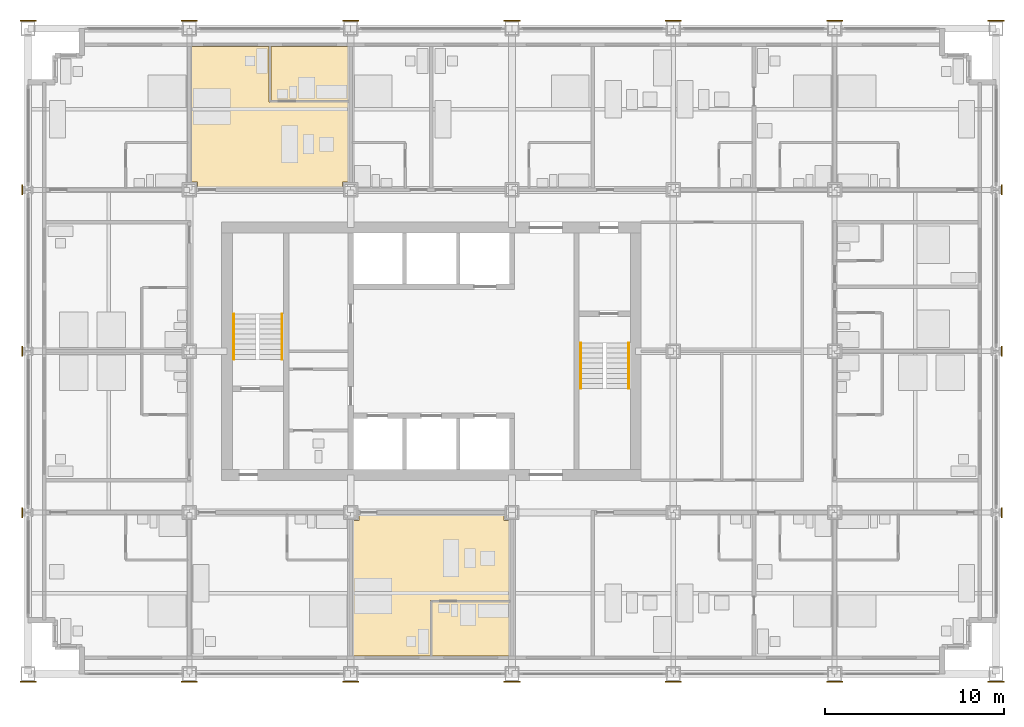
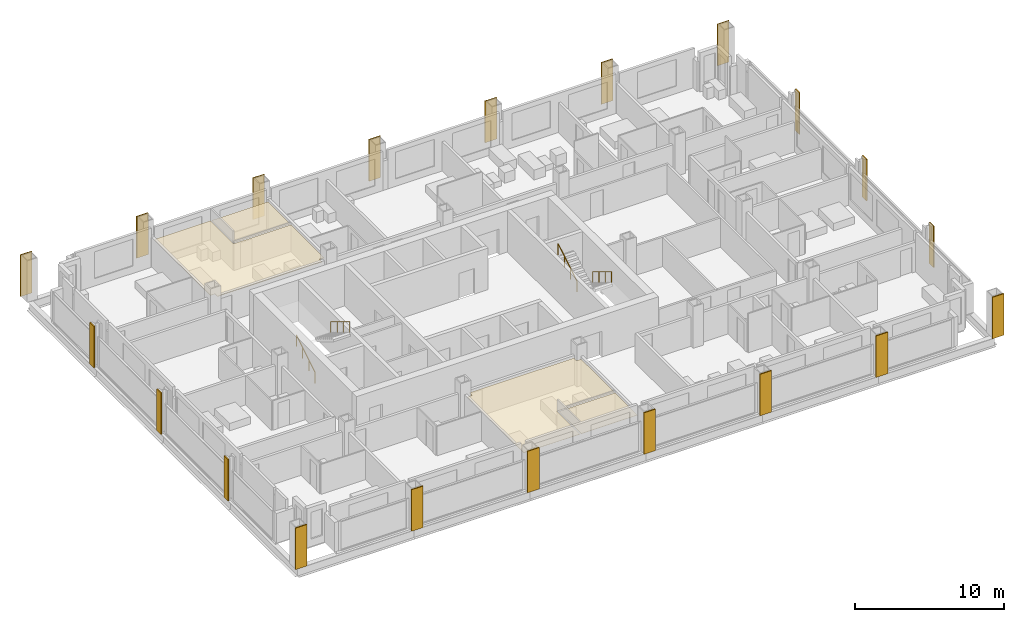
# One storey, part 16 of 18: 24 coverings, 4 railings.
"""IFC4 building model written with IfcOpenShell, lengths in metres."""

from ifc_helpers import new_model, si_unit, direction, frame, origin, origin_2d, place, context, subcontext, project, spatial, polyline, rectangle, circle, outline, extrude, material, layer, layer_set, type_object, element, save


model = new_model("IFC4")

# Units and contexts
model_context = context("Model", 3, precision=1e-05, world=origin(), true_north=direction((0.0, 1.0)))
body_context = subcontext(model_context, "Body", "Model", "MODEL_VIEW")
ifc_project = project(units=[si_unit("LENGTHUNIT", "METRE"), si_unit("AREAUNIT", "SQUARE_METRE"), si_unit("VOLUMEUNIT", "CUBIC_METRE"), si_unit("PLANEANGLEUNIT", "RADIAN"), si_unit("MASSUNIT", "GRAM", prefix="KILO")], contexts=[model_context])

# Site, building, storey
site_placement = place(None, origin())
site = spatial("IfcSite", under=ifc_project, at=site_placement, CompositionType="ELEMENT")
building_placement = place(site_placement, origin())
building = spatial("IfcBuilding", under=site, at=building_placement, Name="Loomwork Tower", CompositionType="ELEMENT")
storey_placement = place(building_placement, frame((0.0, 0.0, 72.199951171875)))
storey = spatial("IfcBuildingStorey", under=building, at=storey_placement, Name="L18", CompositionType="ELEMENT", Elevation=72.199951171875)

# Railings
ifc_material_1 = material(Name="Stainless steel handrail", Category="steel")
railing_type = type_object("IfcRailingType", Name="Handrail 900", PredefinedType="HANDRAIL", material=ifc_material_1)
railing_1_placement = place(storey_placement, frame((11.485107421875, 17.550048828125, 0.170166015625)))
element("IfcRailing", 1, at=railing_1_placement, inside=storey, type_object=railing_type, Name="Stair A handrail flight 1 L18", PredefinedType="HANDRAIL", context=body_context, shape_type="SweptSolid", body=[
    extrude(circle(Radius=0.02392578125, at=origin_2d()), frame((0.0, 0.0, 0.8759765625), z_axis=(0.0, 0.854821627497, 0.518921945155), x_axis=(-1.0, 0.0, 0.0)), (0.0, 0.0, 1.0), 2.947998046875),
    extrude(circle(Radius=0.02099609375, at=origin_2d()), origin(), (0.0, 0.0, 1.0), 0.851806640625),
    extrude(circle(Radius=0.02099609375, at=origin_2d()), frame((0.0, 0.840087890625, 0.510009765625)), (0.0, 0.0, 1.0), 0.851806640625),
    extrude(circle(Radius=0.02099609375, at=origin_2d()), frame((0.0, 1.679931640625, 1.019775390625)), (0.0, 0.0, 1.0), 0.851806640625),
    extrude(circle(Radius=0.02099609375, at=origin_2d()), frame((0.0, 2.52001953125, 1.52978515625)), (0.0, 0.0, 1.0), 0.851806640625),
])
railing_2_placement = place(storey_placement, frame((14.1650390625, 20.070068359375, 1.8701171875)))
element("IfcRailing", 2, at=railing_2_placement, inside=storey, type_object=railing_type, Name="Stair A handrail flight 2 L18", PredefinedType="HANDRAIL", context=body_context, shape_type="SweptSolid", body=[
    extrude(circle(Radius=0.02392578125, at=origin_2d()), frame((0.0, 0.0, 0.8759765625), z_axis=(0.0, -0.85478489116, 0.518982456201), x_axis=(1.0, 0.0, 0.0)), (0.0, 0.0, 1.0), 2.9482421875),
    extrude(circle(Radius=0.02099609375, at=origin_2d()), origin(), (0.0, 0.0, 1.0), 0.851806640625),
    extrude(circle(Radius=0.02099609375, at=origin_2d()), frame((0.0, -0.840087890625, 0.510009765625)), (0.0, 0.0, 1.0), 0.851806640625),
    extrude(circle(Radius=0.02099609375, at=origin_2d()), frame((0.0, -1.679931640625, 1.02001953125)), (0.0, 0.0, 1.0), 0.851806640625),
    extrude(circle(Radius=0.02099609375, at=origin_2d()), frame((0.0, -2.52001953125, 1.530029296875)), (0.0, 0.0, 1.0), 0.851806640625),
])
railing_3_placement = place(storey_placement, frame((33.514892578125, 18.449951171875, 0.170166015625)))
element("IfcRailing", 3, at=railing_3_placement, inside=storey, type_object=railing_type, Name="Stair B handrail flight 1 L18", PredefinedType="HANDRAIL", context=body_context, shape_type="SweptSolid", body=[
    extrude(circle(Radius=0.02392578125, at=origin_2d()), frame((0.0, 0.0, 0.8759765625), z_axis=(0.0, -0.854821627497, 0.518921945155), x_axis=(1.0, 0.0, 0.0)), (0.0, 0.0, 1.0), 2.947998046875),
    extrude(circle(Radius=0.02099609375, at=origin_2d()), origin(), (0.0, 0.0, 1.0), 0.851806640625),
    extrude(circle(Radius=0.02099609375, at=origin_2d()), frame((0.0, -0.840087890625, 0.510009765625)), (0.0, 0.0, 1.0), 0.851806640625),
    extrude(circle(Radius=0.02099609375, at=origin_2d()), frame((0.0, -1.679931640625, 1.019775390625)), (0.0, 0.0, 1.0), 0.851806640625),
    extrude(circle(Radius=0.02099609375, at=origin_2d()), frame((0.0, -2.52001953125, 1.52978515625)), (0.0, 0.0, 1.0), 0.851806640625),
])
railing_4_placement = place(storey_placement, frame((30.8349609375, 15.929931640625, 1.8701171875)))
element("IfcRailing", 4, at=railing_4_placement, inside=storey, type_object=railing_type, Name="Stair B handrail flight 2 L18", PredefinedType="HANDRAIL", context=body_context, shape_type="SweptSolid", body=[
    extrude(circle(Radius=0.02392578125, at=origin_2d()), frame((0.0, 0.0, 0.8759765625), z_axis=(0.0, 0.85478489116, 0.518982456201), x_axis=(-1.0, 0.0, 0.0)), (0.0, 0.0, 1.0), 2.9482421875),
    extrude(circle(Radius=0.02099609375, at=origin_2d()), origin(), (0.0, 0.0, 1.0), 0.851806640625),
    extrude(circle(Radius=0.02099609375, at=origin_2d()), frame((0.0, 0.840087890625, 0.510009765625)), (0.0, 0.0, 1.0), 0.851806640625),
    extrude(circle(Radius=0.02099609375, at=origin_2d()), frame((0.0, 1.679931640625, 1.02001953125)), (0.0, 0.0, 1.0), 0.851806640625),
    extrude(circle(Radius=0.02099609375, at=origin_2d()), frame((0.0, 2.52001953125, 1.530029296875)), (0.0, 0.0, 1.0), 0.851806640625),
])

# Coverings
ifc_material_2 = material(Name="Limestone", Category="masonry")
ifc_layer_1 = layer(ifc_material_2, 0.080078125)
ifc_layer_set_1 = layer_set([ifc_layer_1], Name="Limestone pier facing 80")
covering_type_1 = type_object("IfcCoveringType", Name="Limestone pier facing 80", PredefinedType="CLADDING", material=ifc_layer_set_1)
covering_1_placement = place(storey_placement, frame((0.0, -0.43994140625, 0.0), z_axis=(0.0, 0.0, 1.0), x_axis=(1.0, 0.0, 0.0)))
element("IfcCovering", 5, at=covering_1_placement, inside=storey, type_object=covering_type_1, Name="Pier facing D/2 L18", PredefinedType="CLADDING", context=body_context, shape_type="SweptSolid", body=[
    extrude(rectangle(XDim=0.89990234375, YDim=0.080078125, at=origin_2d()), origin(), (0.0, 0.0, 1.0), 3.39990234375),
])
for number, where, z_axis, x_axis, name in (
    (6, (-0.324462890625, 9.0, 0.0), (0.0, 0.0, 1.0), (1.0, 0.0, 0.0), "Pier facing E/2 L18"),
    (7, (-0.324462890625, 18.0, 0.0), (0.0, 0.0, 1.0), (1.0, 0.0, 0.0), "Pier facing F/2 L18"),
    (8, (-0.324462890625, 27.0, 0.0), (0.0, 0.0, 1.0), (1.0, 0.0, 0.0), "Pier facing G/2 L18"),
):
    element("IfcCovering", number, at=place(storey_placement, frame(where, z_axis=z_axis, x_axis=x_axis)), inside=storey, type_object=covering_type_1, Name=name, PredefinedType="CLADDING", context=body_context, shape_type="SweptSolid", body=[
        extrude(rectangle(XDim=0.080078125, YDim=0.5546875, at=origin_2d()), origin(), (0.0, 0.0, 1.0), 3.39990234375),
    ])
for number, where, z_axis, x_axis, name in (
    (9, (0.0, 36.43994140625, 0.0), (0.0, 0.0, 1.0), (1.0, 0.0, 0.0), "Pier facing H/2 L18"),
    (10, (9.0, -0.43994140625, 0.0), (0.0, 0.0, 1.0), (1.0, 0.0, 0.0), "Pier facing D/3 L18"),
    (11, (9.0, 36.43994140625, 0.0), (0.0, 0.0, 1.0), (1.0, 0.0, 0.0), "Pier facing H/3 L18"),
    (12, (18.0, -0.43994140625, 0.0), (0.0, 0.0, 1.0), (1.0, 0.0, 0.0), "Pier facing D/4 L18"),
    (13, (18.0, 36.43994140625, 0.0), (0.0, 0.0, 1.0), (1.0, 0.0, 0.0), "Pier facing H/4 L18"),
    (14, (27.0, -0.43994140625, 0.0), (0.0, 0.0, 1.0), (1.0, 0.0, 0.0), "Pier facing D/5 L18"),
    (15, (27.0, 36.43994140625, 0.0), (0.0, 0.0, 1.0), (1.0, 0.0, 0.0), "Pier facing H/5 L18"),
    (16, (36.0, -0.43994140625, 0.0), (0.0, 0.0, 1.0), (1.0, 0.0, 0.0), "Pier facing D/6 L18"),
    (17, (36.0, 36.43994140625, 0.0), (0.0, 0.0, 1.0), (1.0, 0.0, 0.0), "Pier facing H/6 L18"),
    (18, (45.0, -0.43994140625, 0.0), (0.0, 0.0, 1.0), (1.0, 0.0, 0.0), "Pier facing D/7 L18"),
    (19, (45.0, 36.43994140625, 0.0), (0.0, 0.0, 1.0), (1.0, 0.0, 0.0), "Pier facing H/7 L18"),
    (20, (54.0, -0.43994140625, 0.0), (0.0, 0.0, 1.0), (1.0, 0.0, 0.0), "Pier facing D/8 L18"),
):
    element("IfcCovering", number, at=place(storey_placement, frame(where, z_axis=z_axis, x_axis=x_axis)), inside=storey, type_object=covering_type_1, Name=name, PredefinedType="CLADDING", context=body_context, shape_type="SweptSolid", body=[
        extrude(rectangle(XDim=0.89990234375, YDim=0.080078125, at=origin_2d()), origin(), (0.0, 0.0, 1.0), 3.39990234375),
    ])
for number, where, z_axis, x_axis, name in (
    (21, (54.324462890625, 9.0, 0.0), (0.0, 0.0, 1.0), (1.0, 0.0, 0.0), "Pier facing E/8 L18"),
    (22, (54.324462890625, 18.0, 0.0), (0.0, 0.0, 1.0), (1.0, 0.0, 0.0), "Pier facing F/8 L18"),
    (23, (54.324462890625, 27.0, 0.0), (0.0, 0.0, 1.0), (1.0, 0.0, 0.0), "Pier facing G/8 L18"),
):
    element("IfcCovering", number, at=place(storey_placement, frame(where, z_axis=z_axis, x_axis=x_axis)), inside=storey, type_object=covering_type_1, Name=name, PredefinedType="CLADDING", context=body_context, shape_type="SweptSolid", body=[
        extrude(rectangle(XDim=0.080078125, YDim=0.5546875, at=origin_2d()), origin(), (0.0, 0.0, 1.0), 3.39990234375),
    ])
covering_2_placement = place(storey_placement, frame((54.0, 36.43994140625, 0.0), z_axis=(0.0, 0.0, 1.0), x_axis=(1.0, 0.0, 0.0)))
element("IfcCovering", 24, at=covering_2_placement, inside=storey, type_object=covering_type_1, Name="Pier facing H/8 L18", PredefinedType="CLADDING", context=body_context, shape_type="SweptSolid", body=[
    extrude(rectangle(XDim=0.89990234375, YDim=0.080078125, at=origin_2d()), origin(), (0.0, 0.0, 1.0), 3.39990234375),
])
ifc_material_3 = material(Name="Mineral fibre acoustic tile on suspension grid")
ifc_layer_2 = layer(ifc_material_3, 0.02490234375)
ifc_layer_set_2 = layer_set([ifc_layer_2], Name="Suspended acoustic ceiling")
covering_type_2 = type_object("IfcCoveringType", Name="Suspended acoustic ceiling", PredefinedType="CEILING", material=ifc_layer_set_2)
covering_3_placement = place(storey_placement, frame((0.0, 0.0, 2.175048828125)))
element("IfcCovering", 25, at=covering_3_placement, inside=storey, type_object=covering_type_2, Name="Ceiling Spa bathroom L18", PredefinedType="CEILING", context=body_context, shape_type="SweptSolid", body=[
    extrude(outline(polyline([(26.89990234375, 4.0), (26.89990234375, 1.0), (22.550048828125, 1.0), (22.550048828125, 4.0), (26.89990234375, 4.0)])), origin(), (0.0, 0.0, 1.0), 0.02490234375),
])
covering_4_placement = place(storey_placement, frame((0.0, 0.0, 2.175048828125)))
element("IfcCovering", 26, at=covering_4_placement, inside=storey, type_object=covering_type_2, Name="Ceiling Spa suite L18", PredefinedType="CEILING", context=body_context, shape_type="SweptSolid", body=[
    extrude(outline(polyline([(26.550048828125, 8.89990234375), (26.550048828125, 8.550048828125), (26.89990234375, 8.550048828125), (26.89990234375, 4.10009765625), (22.449951171875, 4.10009765625), (22.449951171875, 1.0), (18.10009765625, 1.0), (18.10009765625, 8.550048828125), (18.449951171875, 8.550048828125), (18.449951171875, 8.89990234375), (26.550048828125, 8.89990234375)])), origin(), (0.0, 0.0, 1.0), 0.02490234375),
])
covering_5_placement = place(storey_placement, frame((0.0, 0.0, 2.175048828125)))
element("IfcCovering", 27, at=covering_5_placement, inside=storey, type_object=covering_type_2, Name="Ceiling Spa bathroom L18", PredefinedType="CEILING", context=body_context, shape_type="SweptSolid", body=[
    extrude(outline(polyline([(13.550048828125, 35.0), (17.89990234375, 35.0), (17.89990234375, 32.0), (13.550048828125, 32.0), (13.550048828125, 35.0)])), origin(), (0.0, 0.0, 1.0), 0.02490234375),
])
covering_6_placement = place(storey_placement, frame((0.0, 0.0, 2.175048828125)))
element("IfcCovering", 28, at=covering_6_placement, inside=storey, type_object=covering_type_2, Name="Ceiling Spa suite L18", PredefinedType="CEILING", context=body_context, shape_type="SweptSolid", body=[
    extrude(outline(polyline([(9.10009765625, 35.0), (13.449951171875, 35.0), (13.449951171875, 31.89990234375), (17.89990234375, 31.89990234375), (17.89990234375, 27.449951171875), (17.550048828125, 27.449951171875), (17.550048828125, 27.10009765625), (9.449951171875, 27.10009765625), (9.449951171875, 27.449951171875), (9.10009765625, 27.449951171875), (9.10009765625, 35.0)])), origin(), (0.0, 0.0, 1.0), 0.02490234375),
])

save(model, "model.ifc")
